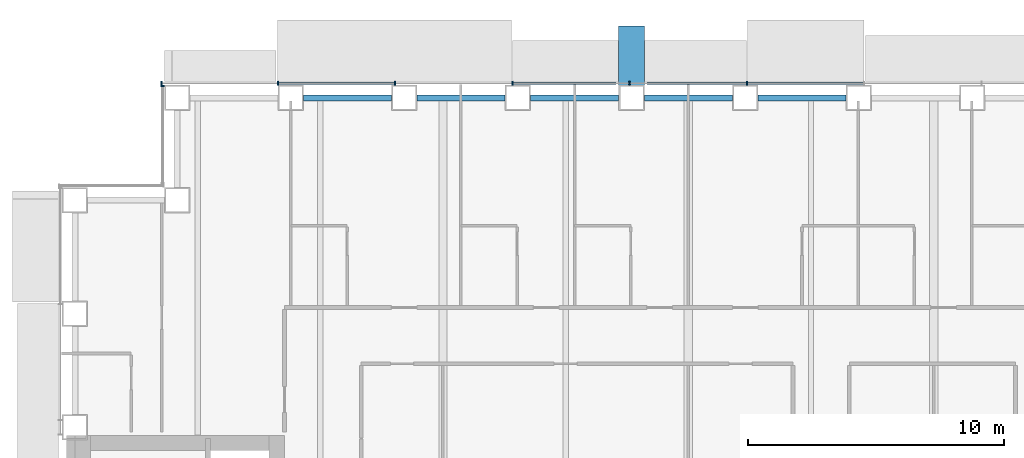
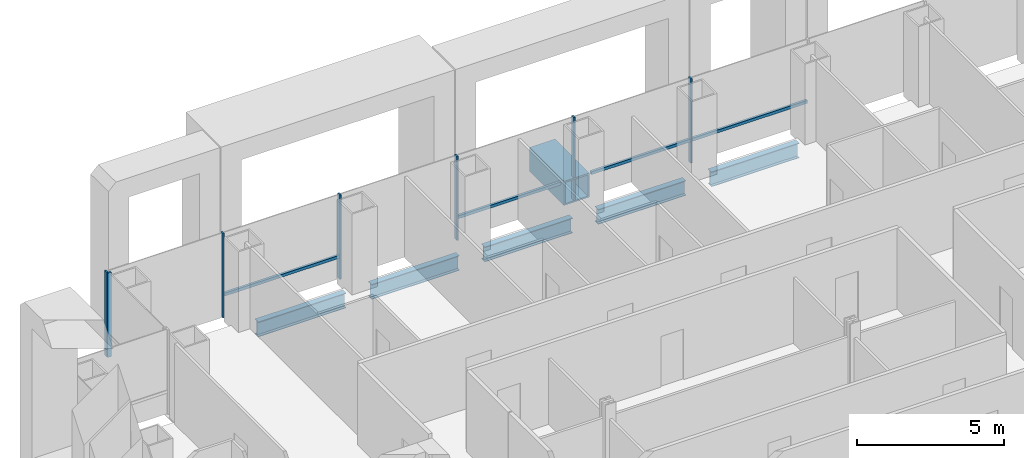
# One storey, part 8 of 25: 11 members, 6 beams, 2 elements without a shape of their own.
"""IFC4 building model written with IfcOpenShell, lengths in metres."""

from ifc_helpers import new_model, si_unit, direction, frame, origin, origin_2d, place, context, subcontext, project, spatial, rectangle, hollow_rectangle, i_section, extrude, material, material_profile, profile_set, type_object, element, aggregate, save


model = new_model("IFC4")

# Units and contexts
model_context = context("Model", 3, precision=1e-05, world=origin(), true_north=direction((0.0, 1.0)))
body_context = subcontext(model_context, "Body", "Model", "MODEL_VIEW")
ifc_project = project(units=[si_unit("LENGTHUNIT", "METRE"), si_unit("AREAUNIT", "SQUARE_METRE"), si_unit("VOLUMEUNIT", "CUBIC_METRE"), si_unit("PLANEANGLEUNIT", "RADIAN"), si_unit("MASSUNIT", "GRAM", prefix="KILO")], contexts=[model_context])

# Site, building, storey
site_placement = place(None, origin())
site = spatial("IfcSite", under=ifc_project, at=site_placement, CompositionType="ELEMENT")
building_placement = place(site_placement, origin())
building = spatial("IfcBuilding", under=site, at=building_placement, Name="Cobrizo Arcos Hotel Tower", CompositionType="ELEMENT")
storey_placement = place(building_placement, frame((0.0, 0.0, 53.0)))
storey = spatial("IfcBuildingStorey", under=building, at=storey_placement, Name="L11", CompositionType="ELEMENT", Elevation=53.0)

# Beam
ifc_material_1 = material(Name="Steel ASTM A572 Grade 50", Category="steel")
ifc_material_profile_1 = material_profile(ifc_material_1, hollow_rectangle(XDim=1.0, YDim=1.0, WallThickness=0.06005859375, at=origin_2d()), Name="BOX 1000X1000X60")
ifc_profile_set_1 = profile_set([ifc_material_profile_1], Name="Steel ASTM A572 Grade 50")
beam_type_1 = type_object("IfcBeamType", Name="BOX 1000X1000X60 brace connector strut", PredefinedType="BEAM", material=ifc_profile_set_1)
beam_1_placement = place(storey_placement, frame((-2.22216796875, 24.489990234375, 0.5), z_axis=(0.0, 1.0, 0.0), x_axis=(-1.0, 0.0, 0.0)))
element("IfcBeam", 1, at=beam_1_placement, inside=storey, type_object=beam_type_1, Name="Perimeter brace stub BS1, zone Z1, north face, offset -2.22 m, L11", PredefinedType="BEAM", context=body_context, shape_type="SweptSolid", body=[
    extrude(hollow_rectangle(XDim=1.0, YDim=1.0, WallThickness=0.06005859375, at=origin_2d()), origin(), (0.0, 0.0, 1.0), 2.330078125),
])

# Curtain wall, members
ifc_material_2 = material(Name="Aluminium 6063-T6 anodised bronze", Category="aluminium")
curtain_wall_type = type_object("IfcCurtainWallType", Name="CW-A guest facade", PredefinedType="NOTDEFINED", material=ifc_material_2)
curtain_wall_1_placement = place(storey_placement, origin())
curtain_wall_1 = element("IfcCurtainWall", 2, at=curtain_wall_1_placement, inside=storey, type_object=curtain_wall_type, Name="CW-A L11 N face", PredefinedType="NOTDEFINED")
ifc_material_profile_2 = material_profile(ifc_material_2, rectangle(XDim=0.14990234375, YDim=0.06005859375, at=origin_2d()), Name="CW-A mullion 150x60")
ifc_profile_set_2 = profile_set([ifc_material_profile_2], Name="Aluminium 6063-T6 anodised bronze")
member_type_1 = type_object("IfcMemberType", Name="CW-A mullion 150x60", PredefinedType="MULLION", material=ifc_profile_set_2)
member_1_placement = place(storey_placement, frame((2.29443359375, 24.574951171875, 0.0), z_axis=(0.0, 0.0, 1.0), x_axis=(0.0, 1.0, 0.0)))
member_1 = element("IfcMember", 3, at=member_1_placement, type_object=member_type_1, Name="CW-A mullion 5", PredefinedType="MULLION", context=body_context, shape_type="SweptSolid", body=[
    extrude(rectangle(XDim=0.14990234375, YDim=0.06005859375, at=origin_2d()), origin(), (0.0, 0.0, 1.0), 3.5),
])
member_2_placement = place(storey_placement, frame((-2.29443359375, 24.574951171875, 0.0), z_axis=(0.0, 0.0, 1.0), x_axis=(0.0, 1.0, 0.0)))
member_2 = element("IfcMember", 4, at=member_2_placement, type_object=member_type_1, Name="CW-A mullion 6", PredefinedType="MULLION", context=body_context, shape_type="SweptSolid", body=[
    extrude(rectangle(XDim=0.14990234375, YDim=0.06005859375, at=origin_2d()), origin(), (0.0, 0.0, 1.0), 3.5),
])
member_3_placement = place(storey_placement, frame((-6.88330078125, 24.574951171875, 0.0), z_axis=(0.0, 0.0, 1.0), x_axis=(0.0, 1.0, 0.0)))
member_3 = element("IfcMember", 5, at=member_3_placement, type_object=member_type_1, Name="CW-A mullion 7", PredefinedType="MULLION", context=body_context, shape_type="SweptSolid", body=[
    extrude(rectangle(XDim=0.14990234375, YDim=0.06005859375, at=origin_2d()), origin(), (0.0, 0.0, 1.0), 3.5),
])
member_4_placement = place(storey_placement, frame((-11.47216796875, 24.574951171875, 0.0), z_axis=(0.0, 0.0, 1.0), x_axis=(0.0, 1.0, 0.0)))
member_4 = element("IfcMember", 6, at=member_4_placement, type_object=member_type_1, Name="CW-A mullion 8", PredefinedType="MULLION", context=body_context, shape_type="SweptSolid", body=[
    extrude(rectangle(XDim=0.14990234375, YDim=0.06005859375, at=origin_2d()), origin(), (0.0, 0.0, 1.0), 3.5),
])
member_5_placement = place(storey_placement, frame((-16.06103515625, 24.574951171875, 0.0), z_axis=(0.0, 0.0, 1.0), x_axis=(0.0, 1.0, 0.0)))
member_5 = element("IfcMember", 7, at=member_5_placement, type_object=member_type_1, Name="CW-A mullion 9", PredefinedType="MULLION", context=body_context, shape_type="SweptSolid", body=[
    extrude(rectangle(XDim=0.14990234375, YDim=0.06005859375, at=origin_2d()), origin(), (0.0, 0.0, 1.0), 3.5),
])
member_6_placement = place(storey_placement, frame((-20.6201171875, 24.574951171875, 0.0), z_axis=(0.0, 0.0, 1.0), x_axis=(0.0, 1.0, 0.0)))
member_6 = element("IfcMember", 8, at=member_6_placement, type_object=member_type_1, Name="CW-A mullion 10", PredefinedType="MULLION", context=body_context, shape_type="SweptSolid", body=[
    extrude(rectangle(XDim=0.14990234375, YDim=0.06005859375, at=origin_2d()), origin(), (0.0, 0.0, 1.0), 3.5),
])

# Curtain wall, member
curtain_wall_2_placement = place(storey_placement, origin())
curtain_wall_2 = element("IfcCurtainWall", 9, at=curtain_wall_2_placement, inside=storey, type_object=curtain_wall_type, Name="CW-A L11 W face", PredefinedType="NOTDEFINED")
member_7_placement = place(storey_placement, frame((-20.574951171875, 24.469970703125, 0.0), z_axis=(0.0, 0.0, 1.0), x_axis=(-1.0, 0.0, 0.0)))
member_7 = element("IfcMember", 10, at=member_7_placement, type_object=member_type_1, Name="CW-A mullion 1", PredefinedType="MULLION", context=body_context, shape_type="SweptSolid", body=[
    extrude(rectangle(XDim=0.14990234375, YDim=0.06005859375, at=origin_2d()), origin(), (0.0, 0.0, 1.0), 3.5),
])
aggregate(curtain_wall_2, [member_7])

# Member
ifc_material_profile_3 = material_profile(ifc_material_2, rectangle(XDim=0.10009765625, YDim=0.1201171875, at=origin_2d()), Name="CW-A transom 120x100")
ifc_profile_set_3 = profile_set([ifc_material_profile_3], Name="Aluminium 6063-T6 anodised bronze")
member_type_2 = type_object("IfcMemberType", Name="CW-A transom 120x100", PredefinedType="USERDEFINED", material=ifc_profile_set_3)
member_8_placement = place(storey_placement, frame((6.853271484375, 24.574951171875, 0.929931640625), z_axis=(-1.0, 0.0, 0.0), x_axis=(0.0, -1.0, 0.0)))
member_8 = element("IfcMember", 11, at=member_8_placement, type_object=member_type_2, Name="CW-A transom 535", ObjectType="TRANSOM", PredefinedType="USERDEFINED", context=body_context, shape_type="SweptSolid", body=[
    extrude(rectangle(XDim=0.10009765625, YDim=0.1201171875, at=origin_2d()), origin(), (0.0, 0.0, 1.0), 4.52880859375),
])

member_9_placement = place(storey_placement, frame((2.264404296875, 24.574951171875, 0.929931640625), z_axis=(-1.0, 0.0, 0.0), x_axis=(0.0, -1.0, 0.0)))
member_9 = element("IfcMember", 12, at=member_9_placement, type_object=member_type_2, Name="CW-A transom 536", ObjectType="TRANSOM", PredefinedType="USERDEFINED", context=body_context, shape_type="SweptSolid", body=[
    extrude(rectangle(XDim=0.10009765625, YDim=0.1201171875, at=origin_2d()), origin(), (0.0, 0.0, 1.0), 3.88671875),
])

member_10_placement = place(storey_placement, frame((-2.822265625, 24.574951171875, 0.929931640625), z_axis=(-1.0, 0.0, 0.0), x_axis=(0.0, -1.0, 0.0)))
member_10 = element("IfcMember", 13, at=member_10_placement, type_object=member_type_2, Name="CW-A transom 537", ObjectType="TRANSOM", PredefinedType="USERDEFINED", context=body_context, shape_type="SweptSolid", body=[
    extrude(rectangle(XDim=0.10009765625, YDim=0.1201171875, at=origin_2d()), origin(), (0.0, 0.0, 1.0), 4.031005859375),
])

member_11_placement = place(storey_placement, frame((-11.502197265625, 24.574951171875, 0.929931640625), z_axis=(-1.0, 0.0, 0.0), x_axis=(0.0, -1.0, 0.0)))
member_11 = element("IfcMember", 14, at=member_11_placement, type_object=member_type_2, Name="CW-A transom 539", ObjectType="TRANSOM", PredefinedType="USERDEFINED", context=body_context, shape_type="SweptSolid", body=[
    extrude(rectangle(XDim=0.10009765625, YDim=0.1201171875, at=origin_2d()), origin(), (0.0, 0.0, 1.0), 4.52880859375),
])

aggregate(curtain_wall_1, [member_1, member_2, member_3, member_4, member_5, member_6, member_8, member_9, member_10, member_11])

# Beams
ifc_material_3 = material(Name="Steel ASTM A992 Grade 50", Category="steel")
ifc_material_profile_4 = material_profile(ifc_material_3, i_section(OverallWidth=0.23046875, OverallDepth=0.6171875, WebThickness=0.01318359375, FlangeThickness=0.022216796875, at=origin_2d()), Name="W24X94")
ifc_profile_set_4 = profile_set([ifc_material_profile_4], Name="Steel ASTM A992 Grade 50")
beam_type_2 = type_object("IfcBeamType", Name="W24X94 spandrel", PredefinedType="SPANDREL", material=ifc_profile_set_4)
beam_2_placement = place(storey_placement, frame((6.1669921875, 24.0, -0.45849609375), z_axis=(-1.0, 0.0, 0.0), x_axis=(0.0, -1.0, 0.0)))
element("IfcBeam", 15, at=beam_2_placement, inside=storey, type_object=beam_type_2, Name="Spandrel beam W24X94, L11, no. 021", PredefinedType="SPANDREL", context=body_context, shape_type="SweptSolid", body=[
    extrude(i_section(OverallWidth=0.23046875, OverallDepth=0.6171875, WebThickness=0.01318359375, FlangeThickness=0.022216796875, at=origin_2d()), origin(), (0.0, 0.0, 1.0), 3.445068359375),
])
beam_3_placement = place(storey_placement, frame((1.721923828125, 24.0, -0.45849609375), z_axis=(-1.0, 0.0, 0.0), x_axis=(0.0, -1.0, 0.0)))
element("IfcBeam", 16, at=beam_3_placement, inside=storey, type_object=beam_type_2, Name="Spandrel beam W24X94, L11, no. 022", PredefinedType="SPANDREL", context=body_context, shape_type="SweptSolid", body=[
    extrude(i_section(OverallWidth=0.23046875, OverallDepth=0.6171875, WebThickness=0.01318359375, FlangeThickness=0.022216796875, at=origin_2d()), origin(), (0.0, 0.0, 1.0), 3.44384765625),
])
beam_4_placement = place(storey_placement, frame((-2.721923828125, 24.0, -0.45849609375), z_axis=(-1.0, 0.0, 0.0), x_axis=(0.0, -1.0, 0.0)))
element("IfcBeam", 17, at=beam_4_placement, inside=storey, type_object=beam_type_2, Name="Spandrel beam W24X94, L11, no. 023", PredefinedType="SPANDREL", context=body_context, shape_type="SweptSolid", body=[
    extrude(i_section(OverallWidth=0.23046875, OverallDepth=0.6171875, WebThickness=0.01318359375, FlangeThickness=0.022216796875, at=origin_2d()), origin(), (0.0, 0.0, 1.0), 3.445068359375),
])
beam_5_placement = place(storey_placement, frame((-7.1669921875, 24.0, -0.45849609375), z_axis=(-1.0, 0.0, 0.0), x_axis=(0.0, -1.0, 0.0)))
element("IfcBeam", 18, at=beam_5_placement, inside=storey, type_object=beam_type_2, Name="Spandrel beam W24X94, L11, no. 024", PredefinedType="SPANDREL", context=body_context, shape_type="SweptSolid", body=[
    extrude(i_section(OverallWidth=0.23046875, OverallDepth=0.6171875, WebThickness=0.01318359375, FlangeThickness=0.022216796875, at=origin_2d()), origin(), (0.0, 0.0, 1.0), 3.444091796875),
])
beam_6_placement = place(storey_placement, frame((-11.611083984375, 24.0, -0.45849609375), z_axis=(-1.0, 0.0, 0.0), x_axis=(0.0, -1.0, 0.0)))
element("IfcBeam", 19, at=beam_6_placement, inside=storey, type_object=beam_type_2, Name="Spandrel beam W24X94, L11, no. 025", PredefinedType="SPANDREL", context=body_context, shape_type="SweptSolid", body=[
    extrude(i_section(OverallWidth=0.23046875, OverallDepth=0.6171875, WebThickness=0.01318359375, FlangeThickness=0.022216796875, at=origin_2d()), origin(), (0.0, 0.0, 1.0), 3.44482421875),
])

save(model, "model.ifc")
